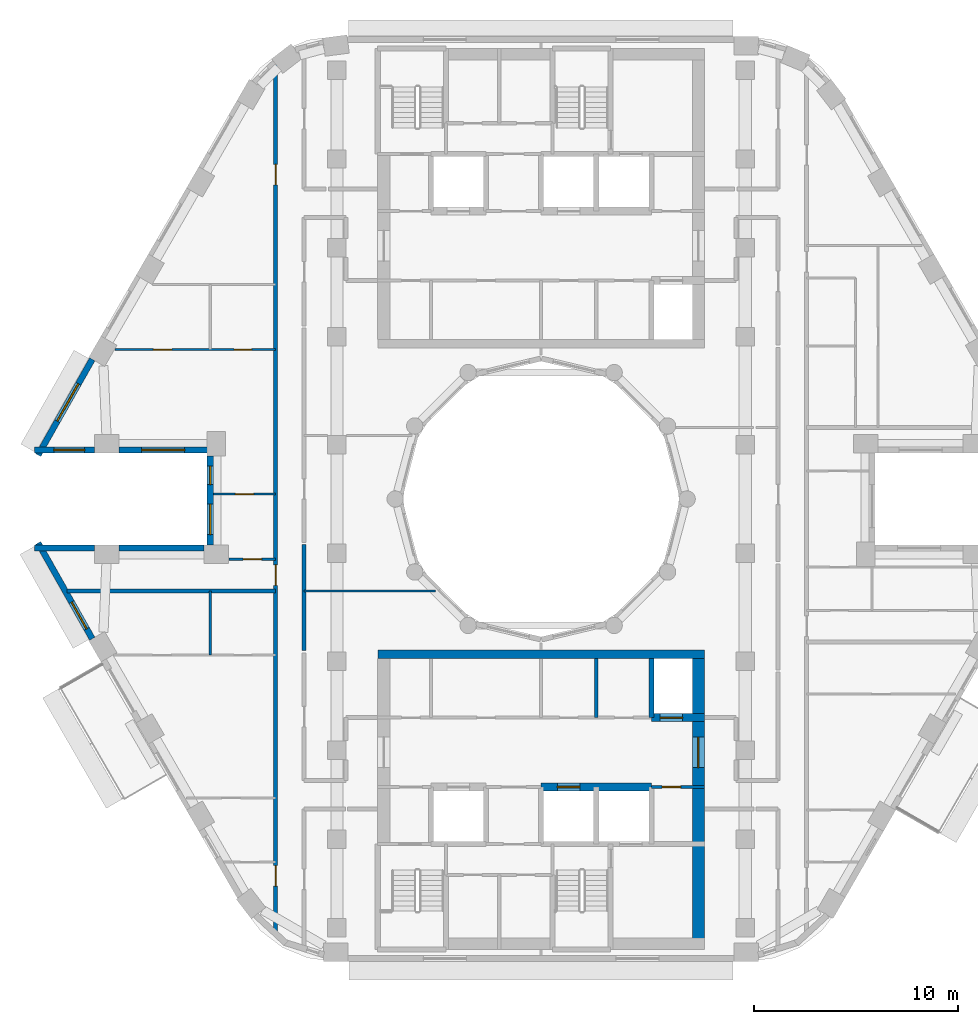
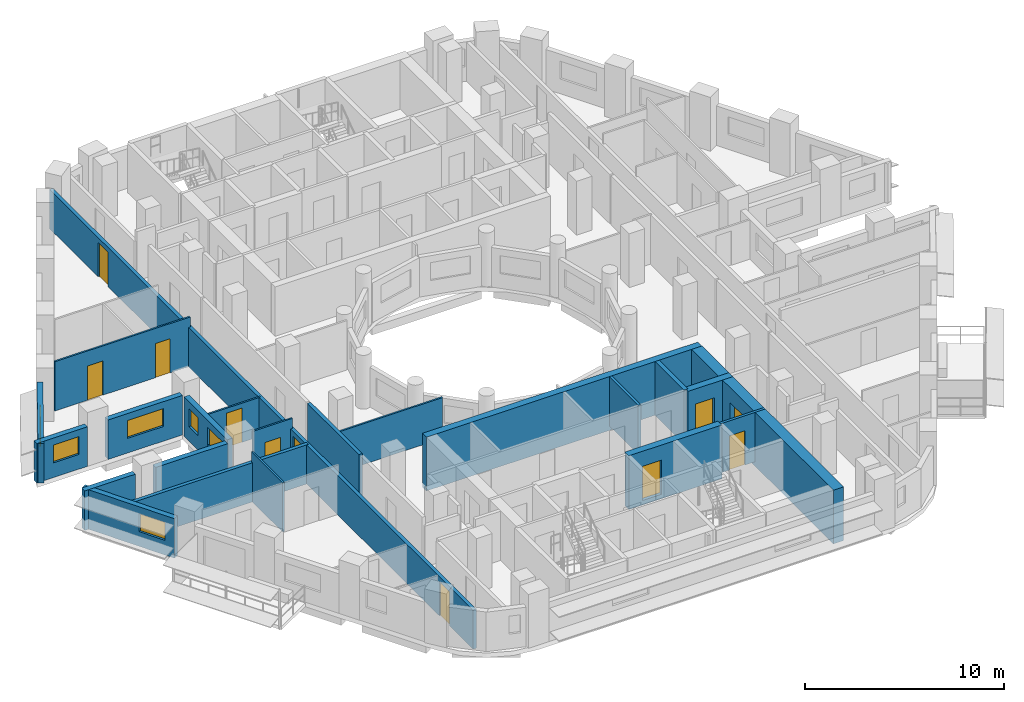
# One storey, part 4 of 16: 22 walls, 11 doors, 6 windows, 17 openings.
"""IFC4 building model written with IfcOpenShell, lengths in metres."""

from ifc_helpers import new_model, si_unit, direction, frame, frame_2d, origin, place, context, subcontext, project, spatial, rectangle, extrude, material, layer, layer_set, type_object, element, fill, save


model = new_model("IFC4")

# Units and contexts
model_context = context("Model", 3, precision=1e-05, world=origin(), true_north=direction((0.0, 1.0)))
body_context = subcontext(model_context, "Body", "Model", "MODEL_VIEW")
ifc_project = project(units=[si_unit("LENGTHUNIT", "METRE"), si_unit("AREAUNIT", "SQUARE_METRE"), si_unit("VOLUMEUNIT", "CUBIC_METRE"), si_unit("PLANEANGLEUNIT", "RADIAN"), si_unit("MASSUNIT", "GRAM", prefix="KILO")], contexts=[model_context])

# Site, building, storey
site_placement = place(None, origin())
site = spatial("IfcSite", under=ifc_project, at=site_placement, CompositionType="ELEMENT")
building_placement = place(site_placement, origin())
building = spatial("IfcBuilding", under=site, at=building_placement, Name="Nakaniwa Court", CompositionType="ELEMENT")
storey_placement = place(building_placement, frame((0.0, 0.0, 193.199951171875)))
storey = spatial("IfcBuildingStorey", under=building, at=storey_placement, Name="L50", CompositionType="ELEMENT", Elevation=193.199951171875)

# Wall
ifc_material_1 = material(Name="Acoustic double stud partition")
ifc_layer_1 = layer(ifc_material_1, 0.199951171875)
ifc_layer_set_1 = layer_set([ifc_layer_1], Name="Acoustic double stud partition")
wall_type_1 = type_object("IfcWallType", Name="Acoustic double stud partition 200", PredefinedType="PARTITIONING", material=ifc_layer_set_1)
wall_1_placement = place(storey_placement, frame((68.39990234375, 72.5771484375, 0.0), z_axis=(0.0, 0.0, 1.0), x_axis=(0.0, 1.0, 0.0)))
element("IfcWall", 1, at=wall_1_placement, inside=storey, type_object=wall_type_1, Name="Partition PW-098", PredefinedType="PARTITIONING", context=body_context, shape_type="SweptSolid", body=[
    extrude(rectangle(XDim=5.185546875, YDim=0.199951171875, at=frame_2d((2.5927734375, 0.0))), origin(), (0.0, 0.0, 1.0), 3.025146484375),
])

# Wall, openings, doors
wall_2_placement = place(storey_placement, frame((67.0, 58.67431640625, 0.0), z_axis=(0.0, 0.0, 1.0), x_axis=(0.0, 1.0, 0.0)))
wall_2 = element("IfcWall", 2, at=wall_2_placement, inside=storey, type_object=wall_type_1, Name="Partition PW-102", PredefinedType="PARTITIONING", context=body_context, shape_type="SweptSolid", body=[
    extrude(rectangle(XDim=42.591796875, YDim=0.199951171875, at=frame_2d((21.2958984375, 0.0))), origin(), (0.0, 0.0, 1.0), 2.405029296875),
])
opening_1_placement = place(wall_2_placement, frame((2.3759765625, 0.0, 0.0)))
opening_1 = element("IfcOpeningElement", 3, at=opening_1_placement, cuts=wall_2, Name="Opening D-01-04", PredefinedType="OPENING", context=body_context, shape_type="SweptSolid", body=[
    extrude(rectangle(XDim=1.0, YDim=2.10009765625, at=frame_2d((0.5, 1.050048828125))), frame((0.0, 0.10986328125, 0.0), z_axis=(0.0, -1.0, 0.0), x_axis=(1.0, 0.0, 0.0)), (0.0, 0.0, 1.0), 0.219970703125),
])
opening_2_placement = place(wall_2_placement, frame((17.10107421875, 0.0, 0.0)))
opening_2 = element("IfcOpeningElement", 4, at=opening_2_placement, cuts=wall_2, Name="Opening D-01-05", PredefinedType="OPENING", context=body_context, shape_type="SweptSolid", body=[
    extrude(rectangle(XDim=1.0, YDim=2.10009765625, at=frame_2d((0.5, 1.050048828125))), frame((0.0, 0.10986328125, 0.0), z_axis=(0.0, -1.0, 0.0), x_axis=(1.0, 0.0, 0.0)), (0.0, 0.0, 1.0), 0.219970703125),
])
opening_3_placement = place(wall_2_placement, frame((36.70703125, 0.0, 0.0)))
opening_3 = element("IfcOpeningElement", 5, at=opening_3_placement, cuts=wall_2, Name="Opening D-02-10", PredefinedType="OPENING", context=body_context, shape_type="SweptSolid", body=[
    extrude(rectangle(XDim=1.0, YDim=2.10009765625, at=frame_2d((0.5, 1.050048828125))), frame((0.0, 0.10986328125, 0.0), z_axis=(0.0, -1.0, 0.0), x_axis=(1.0, 0.0, 0.0)), (0.0, 0.0, 1.0), 0.219970703125),
])
ifc_material_2 = material(Name="Solid core timber door set, black veneer", Category="wood")
door_type_1 = type_object("IfcDoorType", Name="Flat entrance door 1000", OperationType="NOTDEFINED", PredefinedType="DOOR", material=ifc_material_2)
door_1_placement = place(opening_1_placement, origin())
door_1 = element("IfcDoor", 6, at=door_1_placement, inside=storey, type_object=door_type_1, Name="Door D-01-04 L50-043", OperationType="SINGLE_SWING_RIGHT", OverallHeight=2.10009765625, OverallWidth=1.0, PredefinedType="DOOR", context=body_context, shape_type="SweptSolid", body=[
    extrude(rectangle(XDim=1.0, YDim=2.10009765625, at=frame_2d((0.5, 1.050048828125))), frame((0.0, 0.02490234375, 0.0), z_axis=(0.0, -1.0, 0.0), x_axis=(1.0, 0.0, 0.0)), (0.0, 0.0, 1.0), 0.050048828125),
])
fill(opening_1, door_1)
door_2_placement = place(opening_2_placement, origin())
door_2 = element("IfcDoor", 7, at=door_2_placement, inside=storey, type_object=door_type_1, Name="Door D-01-05 L50-049", OperationType="SINGLE_SWING_RIGHT", OverallHeight=2.10009765625, OverallWidth=1.0, PredefinedType="DOOR", context=body_context, shape_type="SweptSolid", body=[
    extrude(rectangle(XDim=1.0, YDim=2.10009765625, at=frame_2d((0.5, 1.050048828125))), frame((0.0, 0.02490234375, 0.0), z_axis=(0.0, -1.0, 0.0), x_axis=(1.0, 0.0, 0.0)), (0.0, 0.0, 1.0), 0.050048828125),
])
fill(opening_2, door_2)
door_type_2 = type_object("IfcDoorType", Name="Internal door 1000", OperationType="NOTDEFINED", PredefinedType="DOOR", material=ifc_material_2)
door_3_placement = place(opening_3_placement, origin())
door_3 = element("IfcDoor", 8, at=door_3_placement, inside=storey, type_object=door_type_2, Name="Door D-02-10 L50-057", OperationType="SINGLE_SWING_RIGHT", OverallHeight=2.10009765625, OverallWidth=1.0, PredefinedType="DOOR", context=body_context, shape_type="SweptSolid", body=[
    extrude(rectangle(XDim=1.0, YDim=2.10009765625, at=frame_2d((0.5, 1.050048828125))), frame((0.0, 0.02490234375, 0.0), z_axis=(0.0, -1.0, 0.0), x_axis=(1.0, 0.0, 0.0)), (0.0, 0.0, 1.0), 0.050048828125),
])
fill(opening_3, door_3)

# Wall
wall_3_placement = place(storey_placement, frame((56.79052734375, 75.5, 0.0), z_axis=(0.0, 0.0, 1.0), x_axis=(1.0, 0.0, 0.0)))
element("IfcWall", 9, at=wall_3_placement, inside=storey, type_object=wall_type_1, Name="Partition PW-132", PredefinedType="PARTITIONING", context=body_context, shape_type="SweptSolid", body=[
    extrude(rectangle(XDim=10.20849609375, YDim=0.199951171875, at=frame_2d((5.104248046875, 0.0))), origin(), (0.0, 0.0, 1.0), 2.405029296875),
])

# Wall, opening, window
ifc_material_3 = material(Name="Charcoal ceramic cladding")
ifc_layer_2 = layer(ifc_material_3, 0.02, Name="Ceramic cladding")
ifc_material_4 = material(Name="Ventilated air cavity")
ifc_layer_3 = layer(ifc_material_4, 0.04, ventilated=True, Name="Ventilated cavity")
ifc_material_5 = material(Name="Mineral wool insulation")
ifc_layer_4 = layer(ifc_material_5, 0.1, Name="Insulation")
ifc_material_6 = material(Name="Cement bonded sheathing board")
ifc_layer_5 = layer(ifc_material_6, 0.012, Name="Sheathing")
ifc_material_7 = material(Name="Cold-formed galvanised stud frame with mineral wool infill")
ifc_layer_6 = layer(ifc_material_7, 0.1, Name="Stud frame")
ifc_material_8 = material(Name="Fire-rated gypsum plasterboard lining")
ifc_layer_7 = layer(ifc_material_8, 0.028, Name="Lining")
ifc_layer_set_2 = layer_set([ifc_layer_2, ifc_layer_3, ifc_layer_4, ifc_layer_5, ifc_layer_6, ifc_layer_7], Name="Charcoal ceramic faced external wall system")
wall_type_2 = type_object("IfcWallType", Name="Black ceramic faced external wall 300", PredefinedType="SOLIDWALL", material=ifc_layer_set_2)
wall_4_placement = place(storey_placement, frame((58.023193359375, 86.843017578125, 0.0), z_axis=(0.0, 0.0, 1.0), x_axis=(-0.492033360928, -0.870576344575, 0.0)))
wall_4 = element("IfcWall", 10, at=wall_4_placement, inside=storey, type_object=wall_type_2, Name="L50 external wall 14", PredefinedType="SOLIDWALL", context=body_context, shape_type="SweptSolid", body=[
    extrude(rectangle(XDim=5.38671875, YDim=0.300048828125, at=frame_2d((2.693359375, 0.0))), origin(), (0.0, 0.0, 1.0), 2.425048828125),
])
opening_4_placement = place(wall_4_placement, frame((1.38037109375, 0.0, 0.89990234375)))
opening_4 = element("IfcOpeningElement", 11, at=opening_4_placement, cuts=wall_4, Name="Opening W7.17", PredefinedType="OPENING", context=body_context, shape_type="SweptSolid", body=[
    extrude(rectangle(XDim=2.10009765625, YDim=1.10009765625, at=frame_2d((1.050048828125, 0.550048828125))), frame((0.0, 0.159912109375, 0.0), z_axis=(0.0, -1.0, 0.0), x_axis=(1.0, 0.0, 0.0)), (0.0, 0.0, 1.0), 0.320068359375),
])
ifc_material_9 = material(Name="Black anodised aluminium frame with dark low-E laminated double glazing", Category="aluminium")
window_type_1 = type_object("IfcWindowType", Name="Dark glass window 2100x1100 sill 900", PartitioningType="SINGLE_PANEL", PredefinedType="WINDOW", material=ifc_material_9)
window_1_placement = place(opening_4_placement, origin())
window_1 = element("IfcWindow", 12, at=window_1_placement, inside=storey, type_object=window_type_1, Name="L50 living window 14-0", OverallHeight=1.10009765625, OverallWidth=2.10009765625, PartitioningType="SINGLE_PANEL", PredefinedType="WINDOW", context=body_context, shape_type="SweptSolid", body=[
    extrude(rectangle(XDim=2.10009765625, YDim=1.10009765625, at=frame_2d((1.050048828125, 0.550048828125))), frame((0.0, 0.030029296875, 0.0), z_axis=(0.0, -1.0, 0.0), x_axis=(1.0, 0.0, 0.0)), (0.0, 0.0, 1.0), 0.06005859375),
])
fill(opening_4, window_1)

wall_5_placement = place(storey_placement, frame((55.2021484375, 82.39990234375, 0.0), z_axis=(0.0, 0.0, 1.0), x_axis=(1.0, 0.0, 0.0)))
wall_5 = element("IfcWall", 13, at=wall_5_placement, inside=storey, type_object=wall_type_2, Name="L50 external wall 15", PredefinedType="SOLIDWALL", context=body_context, shape_type="SweptSolid", body=[
    extrude(rectangle(XDim=2.937744140625, YDim=0.300048828125, at=frame_2d((1.46875, 0.0))), origin(), (0.0, 0.0, 1.0), 2.425048828125),
])
opening_5_placement = place(wall_5_placement, frame((0.94384765625, 0.0, 0.89990234375)))
opening_5 = element("IfcOpeningElement", 14, at=opening_5_placement, cuts=wall_5, Name="Opening W5.18", PredefinedType="OPENING", context=body_context, shape_type="SweptSolid", body=[
    extrude(rectangle(XDim=1.5, YDim=1.10009765625, at=frame_2d((0.75, 0.550048828125))), frame((0.0, 0.159912109375, 0.0), z_axis=(0.0, -1.0, 0.0), x_axis=(1.0, 0.0, 0.0)), (0.0, 0.0, 1.0), 0.320068359375),
])
window_type_2 = type_object("IfcWindowType", Name="Dark glass window 1500x1100 sill 900", PartitioningType="SINGLE_PANEL", PredefinedType="WINDOW", material=ifc_material_9)
window_2_placement = place(opening_5_placement, origin())
window_2 = element("IfcWindow", 15, at=window_2_placement, inside=storey, type_object=window_type_2, Name="L50 living window 15-0", OverallHeight=1.10009765625, OverallWidth=1.5, PartitioningType="SINGLE_PANEL", PredefinedType="WINDOW", context=body_context, shape_type="SweptSolid", body=[
    extrude(rectangle(XDim=1.5, YDim=1.10009765625, at=frame_2d((0.75, 0.550048828125))), frame((0.0, 0.030029296875, 0.0), z_axis=(0.0, -1.0, 0.0), x_axis=(1.0, 0.0, 0.0)), (0.0, 0.0, 1.0), 0.06005859375),
])
fill(opening_5, window_2)

wall_6_placement = place(storey_placement, frame((59.33203125, 82.39990234375, 0.0), z_axis=(0.0, 0.0, 1.0), x_axis=(1.0, 0.0, 0.0)))
wall_6 = element("IfcWall", 16, at=wall_6_placement, inside=storey, type_object=wall_type_2, Name="L50 external wall 16", PredefinedType="SOLIDWALL", context=body_context, shape_type="SweptSolid", body=[
    extrude(rectangle(XDim=4.322509765625, YDim=0.300048828125, at=frame_2d((2.1611328125, 0.0))), origin(), (0.0, 0.0, 1.0), 2.425048828125),
])
opening_6_placement = place(wall_6_placement, frame((1.111083984375, 0.0, 0.89990234375)))
opening_6 = element("IfcOpeningElement", 17, at=opening_6_placement, cuts=wall_6, Name="Opening W7.19", PredefinedType="OPENING", context=body_context, shape_type="SweptSolid", body=[
    extrude(rectangle(XDim=2.10009765625, YDim=1.10009765625, at=frame_2d((1.050048828125, 0.550048828125))), frame((0.0, 0.159912109375, 0.0), z_axis=(0.0, -1.0, 0.0), x_axis=(1.0, 0.0, 0.0)), (0.0, 0.0, 1.0), 0.320068359375),
])
window_3_placement = place(opening_6_placement, origin())
window_3 = element("IfcWindow", 18, at=window_3_placement, inside=storey, type_object=window_type_1, Name="L50 living window 16-0", OverallHeight=1.10009765625, OverallWidth=2.10009765625, PartitioningType="SINGLE_PANEL", PredefinedType="WINDOW", context=body_context, shape_type="SweptSolid", body=[
    extrude(rectangle(XDim=2.10009765625, YDim=1.10009765625, at=frame_2d((1.050048828125, 0.550048828125))), frame((0.0, 0.030029296875, 0.0), z_axis=(0.0, -1.0, 0.0), x_axis=(1.0, 0.0, 0.0)), (0.0, 0.0, 1.0), 0.06005859375),
])
fill(opening_6, window_3)

# Wall, openings, windows
wall_7_placement = place(storey_placement, frame((63.800537109375, 82.10400390625, 0.0), z_axis=(0.0, 0.0, 1.0), x_axis=(0.0, -1.0, 0.0)))
wall_7 = element("IfcWall", 19, at=wall_7_placement, inside=storey, type_object=wall_type_2, Name="L50 external wall 17", PredefinedType="SOLIDWALL", context=body_context, shape_type="SweptSolid", body=[
    extrude(rectangle(XDim=4.35791015625, YDim=0.300048828125, at=frame_2d((2.178955078125, 0.0))), origin(), (0.0, 0.0, 1.0), 2.425048828125),
])
opening_7_placement = place(wall_7_placement, frame((0.496337890625, 0.0, 0.89990234375)))
opening_7 = element("IfcOpeningElement", 20, at=opening_7_placement, cuts=wall_7, Name="Opening W9.20", PredefinedType="OPENING", context=body_context, shape_type="SweptSolid", body=[
    extrude(rectangle(XDim=0.89990234375, YDim=1.10009765625, at=frame_2d((0.449951171875, 0.550048828125))), frame((0.0, 0.159912109375, 0.0), z_axis=(0.0, -1.0, 0.0), x_axis=(1.0, 0.0, 0.0)), (0.0, 0.0, 1.0), 0.320068359375),
])
opening_8_placement = place(wall_7_placement, frame((2.351318359375, 0.0, 0.89990234375)))
opening_8 = element("IfcOpeningElement", 21, at=opening_8_placement, cuts=wall_7, Name="Opening W5.21", PredefinedType="OPENING", context=body_context, shape_type="SweptSolid", body=[
    extrude(rectangle(XDim=1.5, YDim=1.10009765625, at=frame_2d((0.75, 0.550048828125))), frame((0.0, 0.159912109375, 0.0), z_axis=(0.0, -1.0, 0.0), x_axis=(1.0, 0.0, 0.0)), (0.0, 0.0, 1.0), 0.320068359375),
])
window_4_placement = place(opening_8_placement, origin())
window_4 = element("IfcWindow", 22, at=window_4_placement, inside=storey, type_object=window_type_2, Name="L50 habitable room window 17-1", OverallHeight=1.10009765625, OverallWidth=1.5, PartitioningType="SINGLE_PANEL", PredefinedType="WINDOW", context=body_context, shape_type="SweptSolid", body=[
    extrude(rectangle(XDim=1.5, YDim=1.10009765625, at=frame_2d((0.75, 0.550048828125))), frame((0.0, 0.030029296875, 0.0), z_axis=(0.0, -1.0, 0.0), x_axis=(1.0, 0.0, 0.0)), (0.0, 0.0, 1.0), 0.06005859375),
])
fill(opening_8, window_4)
window_type_3 = type_object("IfcWindowType", Name="Dark glass window 900x1100 sill 900", PartitioningType="SINGLE_PANEL", PredefinedType="WINDOW", material=ifc_material_9)
window_5_placement = place(opening_7_placement, origin())
window_5 = element("IfcWindow", 23, at=window_5_placement, inside=storey, type_object=window_type_3, Name="L50 living window 17-0", OverallHeight=1.10009765625, OverallWidth=0.89990234375, PartitioningType="SINGLE_PANEL", PredefinedType="WINDOW", context=body_context, shape_type="SweptSolid", body=[
    extrude(rectangle(XDim=0.89990234375, YDim=1.10009765625, at=frame_2d((0.449951171875, 0.550048828125))), frame((0.0, 0.030029296875, 0.0), z_axis=(0.0, -1.0, 0.0), x_axis=(1.0, 0.0, 0.0)), (0.0, 0.0, 1.0), 0.06005859375),
])
fill(opening_7, window_5)

# Walls
wall_8_placement = place(storey_placement, frame((63.50439453125, 77.60009765625, 0.0), z_axis=(0.0, 0.0, 1.0), x_axis=(-1.0, 0.0, 0.0)))
element("IfcWall", 24, at=wall_8_placement, inside=storey, type_object=wall_type_2, Name="L50 external wall 18", PredefinedType="SOLIDWALL", context=body_context, shape_type="SweptSolid", body=[
    extrude(rectangle(XDim=4.17236328125, YDim=0.300048828125, at=frame_2d((2.086181640625, 0.0))), origin(), (0.0, 0.0, 1.0), 2.425048828125),
])
wall_9_placement = place(storey_placement, frame((58.139892578125, 77.60009765625, 0.0), z_axis=(0.0, 0.0, 1.0), x_axis=(-1.0, 0.0, 0.0)))
element("IfcWall", 25, at=wall_9_placement, inside=storey, type_object=wall_type_2, Name="L50 external wall 19", PredefinedType="SOLIDWALL", context=body_context, shape_type="SweptSolid", body=[
    extrude(rectangle(XDim=2.937744140625, YDim=0.300048828125, at=frame_2d((1.46875, 0.0))), origin(), (0.0, 0.0, 1.0), 2.425048828125),
])

# Wall, opening, window
wall_10_placement = place(storey_placement, frame((55.372802734375, 77.846435546875, 0.0), z_axis=(0.0, 0.0, 1.0), x_axis=(0.492033360928, -0.870576344575, 0.0)))
wall_10 = element("IfcWall", 26, at=wall_10_placement, inside=storey, type_object=wall_type_2, Name="L50 external wall 20", PredefinedType="SOLIDWALL", context=body_context, shape_type="SweptSolid", body=[
    extrude(rectangle(XDim=5.38671875, YDim=0.300048828125, at=frame_2d((2.693359375, 0.0))), origin(), (0.0, 0.0, 1.0), 2.425048828125),
])
opening_9_placement = place(wall_10_placement, frame((3.326171875, 0.0, 0.89990234375)))
opening_9 = element("IfcOpeningElement", 27, at=opening_9_placement, cuts=wall_10, Name="Opening W5.22", PredefinedType="OPENING", context=body_context, shape_type="SweptSolid", body=[
    extrude(rectangle(XDim=1.5, YDim=1.10009765625, at=frame_2d((0.75, 0.550048828125))), frame((0.0, 0.159912109375, 0.0), z_axis=(0.0, -1.0, 0.0), x_axis=(1.0, 0.0, 0.0)), (0.0, 0.0, 1.0), 0.320068359375),
])
window_6_placement = place(opening_9_placement, origin())
window_6 = element("IfcWindow", 28, at=window_6_placement, inside=storey, type_object=window_type_2, Name="L50 habitable room window 20-1", OverallHeight=1.10009765625, OverallWidth=1.5, PartitioningType="SINGLE_PANEL", PredefinedType="WINDOW", context=body_context, shape_type="SweptSolid", body=[
    extrude(rectangle(XDim=1.5, YDim=1.10009765625, at=frame_2d((0.75, 0.550048828125))), frame((0.0, 0.030029296875, 0.0), z_axis=(0.0, -1.0, 0.0), x_axis=(1.0, 0.0, 0.0)), (0.0, 0.0, 1.0), 0.06005859375),
])
fill(opening_9, window_6)

# Wall
ifc_material_10 = material(Name="Blockwork partition", Category="masonry")
ifc_layer_8 = layer(ifc_material_10, 0.14990234375)
ifc_layer_set_3 = layer_set([ifc_layer_8], Name="Blockwork partition")
wall_type_3 = type_object("IfcWallType", Name="Blockwork partition 150", PredefinedType="PARTITIONING", material=ifc_layer_set_3)
wall_11_placement = place(storey_placement, frame((82.699951171875, 69.300048828125, 0.0), z_axis=(0.0, 0.0, 1.0), x_axis=(0.0, 1.0, 0.0)))
element("IfcWall", 29, at=wall_11_placement, inside=storey, type_object=wall_type_3, Name="Partition PW-043", PredefinedType="PARTITIONING", context=body_context, shape_type="SweptSolid", body=[
    extrude(rectangle(XDim=2.89990234375, YDim=0.14990234375, at=frame_2d((1.449951171875, 0.0))), origin(), (0.0, 0.0, 1.0), 3.025146484375),
])

# Wall, opening, door
wall_12_placement = place(storey_placement, frame((88.0, 65.89990234375, 0.0), z_axis=(0.0, 0.0, 1.0), x_axis=(-1.0, 0.0, 0.0)))
wall_12 = element("IfcWall", 30, at=wall_12_placement, inside=storey, type_object=wall_type_3, Name="Partition PW-046", PredefinedType="PARTITIONING", context=body_context, shape_type="SweptSolid", body=[
    extrude(rectangle(XDim=2.60302734375, YDim=0.14990234375, at=frame_2d((1.301513671875, 0.0))), origin(), (0.0, 0.0, 1.0), 3.025146484375),
])
opening_10_placement = place(wall_12_placement, frame((1.175048828125, 0.0, 0.0)))
opening_10 = element("IfcOpeningElement", 31, at=opening_10_placement, cuts=wall_12, Name="Opening D-05-12", PredefinedType="OPENING", context=body_context, shape_type="SweptSolid", body=[
    extrude(rectangle(XDim=0.89990234375, YDim=2.10009765625, at=frame_2d((0.449951171875, 1.050048828125))), frame((0.0, 0.0849609375, 0.0), z_axis=(0.0, -1.0, 0.0), x_axis=(1.0, 0.0, 0.0)), (0.0, 0.0, 1.0), 0.169921875),
])
ifc_material_11 = material(Name="Fire rated steel door set", Category="steel")
door_type_3 = type_object("IfcDoorType", Name="Service room door 900", OperationType="NOTDEFINED", PredefinedType="DOOR", material=ifc_material_11)
door_4_placement = place(opening_10_placement, origin())
door_4 = element("IfcDoor", 32, at=door_4_placement, inside=storey, type_object=door_type_3, Name="Door D-05-12 L50-019", OperationType="SINGLE_SWING_RIGHT", OverallHeight=2.10009765625, OverallWidth=0.89990234375, PredefinedType="DOOR", context=body_context, shape_type="SweptSolid", body=[
    extrude(rectangle(XDim=0.89990234375, YDim=2.10009765625, at=frame_2d((0.449951171875, 1.050048828125))), frame((0.0, 0.02490234375, 0.0), z_axis=(0.0, -1.0, 0.0), x_axis=(1.0, 0.0, 0.0)), (0.0, 0.0, 1.0), 0.050048828125),
])
fill(opening_10, door_4)

ifc_material_12 = material(Name="Concrete C80/100", Category="concrete")
ifc_layer_9 = layer(ifc_material_12, 0.60009765625)
ifc_layer_set_4 = layer_set([ifc_layer_9], Name="Concrete C80/100")
wall_type_4 = type_object("IfcWallType", Name="Concrete core side wall 600 C80", PredefinedType="SHEAR", material=ifc_layer_set_4)
wall_13_placement = place(storey_placement, frame((87.699951171875, 72.199951171875, -0.27490234375), z_axis=(0.0, 0.0, 1.0), x_axis=(0.0, -1.0, 0.0)))
wall_13 = element("IfcWall", 33, at=wall_13_placement, inside=storey, type_object=wall_type_4, Name="Core wall SW-41", PredefinedType="SHEAR", context=body_context, shape_type="SweptSolid", body=[
    extrude(rectangle(XDim=14.25, YDim=0.60009765625, at=frame_2d((7.125, 0.0))), origin(), (0.0, 0.0, 1.0), 3.300048828125),
])
opening_11_placement = place(wall_13_placement, frame((3.85205078125, 0.0, 0.27490234375)))
opening_11 = element("IfcOpeningElement", 34, at=opening_11_placement, cuts=wall_13, Name="Opening D-07-03", PredefinedType="OPENING", context=body_context, shape_type="SweptSolid", body=[
    extrude(rectangle(XDim=1.5, YDim=2.10009765625, at=frame_2d((0.75, 1.050048828125))), frame((0.0, 0.31005859375, 0.0), z_axis=(0.0, -1.0, 0.0), x_axis=(1.0, 0.0, 0.0)), (0.0, 0.0, 1.0), 0.6201171875),
])
ifc_material_13 = material(Name="Glazed fire rated steel double door set", Category="steel")
door_type_4 = type_object("IfcDoorType", Name="Lobby double door 1500", OperationType="NOTDEFINED", PredefinedType="DOOR", material=ifc_material_13)
door_5_placement = place(opening_11_placement, origin())
door_5 = element("IfcDoor", 35, at=door_5_placement, inside=storey, type_object=door_type_4, Name="Door D-07-03 L50-061", OperationType="DOUBLE_DOOR_SINGLE_SWING", OverallHeight=2.10009765625, OverallWidth=1.5, PredefinedType="DOOR", context=body_context, shape_type="SweptSolid", body=[
    extrude(rectangle(XDim=1.5, YDim=2.10009765625, at=frame_2d((0.75, 1.050048828125))), frame((0.0, 0.02490234375, 0.0), z_axis=(0.0, -1.0, 0.0), x_axis=(1.0, 0.0, 0.0)), (0.0, 0.0, 1.0), 0.050048828125),
])
fill(opening_11, door_5)

ifc_layer_10 = layer(ifc_material_12, 0.39990234375)
ifc_layer_set_5 = layer_set([ifc_layer_10], Name="Concrete C80/100")
wall_type_5 = type_object("IfcWallType", Name="Concrete core spine wall 400 C80", PredefinedType="SHEAR", material=ifc_layer_set_5)
wall_14_placement = place(storey_placement, frame((85.39990234375, 69.300048828125, -0.27490234375), z_axis=(0.0, 0.0, 1.0), x_axis=(1.0, 0.0, 0.0)))
wall_14 = element("IfcWall", 36, at=wall_14_placement, inside=storey, type_object=wall_type_5, Name="Core wall SW-40", PredefinedType="SHEAR", context=body_context, shape_type="SweptSolid", body=[
    extrude(rectangle(XDim=2.60009765625, YDim=0.39990234375, at=frame_2d((1.300048828125, 0.0))), origin(), (0.0, 0.0, 1.0), 3.300048828125),
])
opening_12_placement = place(wall_14_placement, frame((0.425048828125, 0.0, 0.27490234375)))
opening_12 = element("IfcOpeningElement", 37, at=opening_12_placement, cuts=wall_14, Name="Opening LD05", PredefinedType="OPENING", context=body_context, shape_type="SweptSolid", body=[
    extrude(rectangle(XDim=1.10009765625, YDim=2.10009765625, at=frame_2d((0.550048828125, 1.050048828125))), frame((0.0, 0.2099609375, 0.0), z_axis=(0.0, -1.0, 0.0), x_axis=(1.0, 0.0, 0.0)), (0.0, 0.0, 1.0), 0.419921875),
])
ifc_material_14 = material(Name="Stainless steel sliding lift landing door", Category="steel")
door_type_5 = type_object("IfcDoorType", Name="Lift landing door 1100", OperationType="NOTDEFINED", PredefinedType="DOOR", material=ifc_material_14)
door_6_placement = place(opening_12_placement, origin())
door_6 = element("IfcDoor", 38, at=door_6_placement, inside=storey, type_object=door_type_5, Name="Lift landing door LD05 L50-005", OperationType="SLIDING_TO_LEFT", OverallHeight=2.10009765625, OverallWidth=1.10009765625, PredefinedType="DOOR", context=body_context, shape_type="SweptSolid", body=[
    extrude(rectangle(XDim=1.10009765625, YDim=2.10009765625, at=frame_2d((0.550048828125, 1.050048828125))), frame((0.0, 0.02490234375, 0.0), z_axis=(0.0, -1.0, 0.0), x_axis=(1.0, 0.0, 0.0)), (0.0, 0.0, 1.0), 0.050048828125),
])
fill(opening_12, door_6)

wall_15_placement = place(storey_placement, frame((79.9970703125, 65.89990234375, -0.27490234375), z_axis=(0.0, 0.0, 1.0), x_axis=(1.0, 0.0, 0.0)))
wall_15 = element("IfcWall", 39, at=wall_15_placement, inside=storey, type_object=wall_type_5, Name="Core wall SW-48", PredefinedType="SHEAR", context=body_context, shape_type="SweptSolid", body=[
    extrude(rectangle(XDim=5.406005859375, YDim=0.39990234375, at=frame_2d((2.703125, 0.0))), origin(), (0.0, 0.0, 1.0), 3.300048828125),
])
opening_13_placement = place(wall_15_placement, frame((0.802978515625, 0.0, 0.27490234375)))
opening_13 = element("IfcOpeningElement", 40, at=opening_13_placement, cuts=wall_15, Name="Opening LD07", PredefinedType="OPENING", context=body_context, shape_type="SweptSolid", body=[
    extrude(rectangle(XDim=1.10009765625, YDim=2.10009765625, at=frame_2d((0.550048828125, 1.050048828125))), frame((0.0, 0.2099609375, 0.0), z_axis=(0.0, -1.0, 0.0), x_axis=(1.0, 0.0, 0.0)), (0.0, 0.0, 1.0), 0.419921875),
])
door_7_placement = place(opening_13_placement, origin())
door_7 = element("IfcDoor", 41, at=door_7_placement, inside=storey, type_object=door_type_5, Name="Lift landing door LD07 L50-007", OperationType="SLIDING_TO_LEFT", OverallHeight=2.10009765625, OverallWidth=1.10009765625, PredefinedType="DOOR", context=body_context, shape_type="SweptSolid", body=[
    extrude(rectangle(XDim=1.10009765625, YDim=2.10009765625, at=frame_2d((0.550048828125, 1.050048828125))), frame((0.0, 0.02490234375, 0.0), z_axis=(0.0, -1.0, 0.0), x_axis=(1.0, 0.0, 0.0)), (0.0, 0.0, 1.0), 0.050048828125),
])
fill(opening_13, door_7)

# Walls
ifc_layer_11 = layer(ifc_material_12, 0.39990234375)
ifc_layer_set_6 = layer_set([ifc_layer_11], Name="Concrete C80/100")
wall_type_6 = type_object("IfcWallType", Name="Concrete core well wall 400 C80", PredefinedType="SHEAR", material=ifc_layer_set_6)
wall_16_placement = place(storey_placement, frame((72.00390625, 72.39990234375, -0.27490234375), z_axis=(0.0, 0.0, 1.0), x_axis=(1.0, 0.0, 0.0)))
element("IfcWall", 42, at=wall_16_placement, inside=storey, type_object=wall_type_6, Name="Core wall SW-141", PredefinedType="SHEAR", context=body_context, shape_type="SweptSolid", body=[
    extrude(rectangle(XDim=15.9921875, YDim=0.39990234375, at=frame_2d((7.99609375, 0.0))), origin(), (0.0, 0.0, 1.0), 3.300048828125),
])
ifc_layer_12 = layer(ifc_material_12, 0.25)
ifc_layer_set_7 = layer_set([ifc_layer_12], Name="Concrete C80/100")
wall_type_7 = type_object("IfcWallType", Name="Concrete shaft wall 250 C80", PredefinedType="SHEAR", material=ifc_layer_set_7)
wall_17_placement = place(storey_placement, frame((85.39990234375, 69.300048828125, -0.27490234375), z_axis=(0.0, 0.0, 1.0), x_axis=(0.0, 1.0, 0.0)))
element("IfcWall", 43, at=wall_17_placement, inside=storey, type_object=wall_type_7, Name="Core wall SW-39", PredefinedType="SHEAR", context=body_context, shape_type="SweptSolid", body=[
    extrude(rectangle(XDim=2.89990234375, YDim=0.25, at=frame_2d((1.449951171875, 0.0))), origin(), (0.0, 0.0, 1.0), 3.300048828125),
])
ifc_material_15 = material(Name="Single stud plasterboard partition")
ifc_layer_13 = layer(ifc_material_15, 0.10009765625)
ifc_layer_set_8 = layer_set([ifc_layer_13], Name="Single stud plasterboard partition")
wall_type_8 = type_object("IfcWallType", Name="Single stud plasterboard partition 100", PredefinedType="PARTITIONING", material=ifc_layer_set_8)
wall_18_placement = place(storey_placement, frame((63.799072265625, 72.35595703125, 0.0), z_axis=(0.0, 0.0, 1.0), x_axis=(0.0, 1.0, 0.0)))
element("IfcWall", 44, at=wall_18_placement, inside=storey, type_object=wall_type_8, Name="Partition PW-130", PredefinedType="PARTITIONING", context=body_context, shape_type="SweptSolid", body=[
    extrude(rectangle(XDim=3.14404296875, YDim=0.10009765625, at=frame_2d((1.572021484375, 0.0))), origin(), (0.0, 0.0, 1.0), 3.025146484375),
])
wall_19_placement = place(storey_placement, frame((68.40087890625, 75.5, 0.0), z_axis=(0.0, 0.0, 1.0), x_axis=(1.0, 0.0, 0.0)))
element("IfcWall", 45, at=wall_19_placement, inside=storey, type_object=wall_type_8, Name="Partition PW-133", PredefinedType="PARTITIONING", context=body_context, shape_type="SweptSolid", body=[
    extrude(rectangle(XDim=6.42578125, YDim=0.10009765625, at=frame_2d((3.212890625, 0.0))), origin(), (0.0, 0.0, 1.0), 2.505126953125),
])

# Wall, opening, door
wall_20_placement = place(storey_placement, frame((64.720458984375, 77.050048828125, 0.0), z_axis=(0.0, 0.0, 1.0), x_axis=(1.0, 0.0, 0.0)))
wall_20 = element("IfcWall", 46, at=wall_20_placement, inside=storey, type_object=wall_type_8, Name="Partition PW-134", PredefinedType="PARTITIONING", context=body_context, shape_type="SweptSolid", body=[
    extrude(rectangle(XDim=2.278564453125, YDim=0.10009765625, at=frame_2d((1.13916015625, 0.0))), origin(), (0.0, 0.0, 1.0), 3.025146484375),
])
opening_14_placement = place(wall_20_placement, frame((0.68896484375, 0.0, 0.0)))
opening_14 = element("IfcOpeningElement", 47, at=opening_14_placement, cuts=wall_20, Name="Opening D-33-11", PredefinedType="OPENING", context=body_context, shape_type="SweptSolid", body=[
    extrude(rectangle(XDim=0.89990234375, YDim=2.10009765625, at=frame_2d((0.449951171875, 1.050048828125))), frame((0.0, 0.06005859375, 0.0), z_axis=(0.0, -1.0, 0.0), x_axis=(1.0, 0.0, 0.0)), (0.0, 0.0, 1.0), 0.1201171875),
])
door_type_6 = type_object("IfcDoorType", Name="Internal door 900", OperationType="NOTDEFINED", PredefinedType="DOOR", material=ifc_material_2)
door_8_placement = place(opening_14_placement, origin())
door_8 = element("IfcDoor", 48, at=door_8_placement, inside=storey, type_object=door_type_6, Name="Door D-33-11 L50-050", OperationType="SINGLE_SWING_LEFT", OverallHeight=2.10009765625, OverallWidth=0.89990234375, PredefinedType="DOOR", context=body_context, shape_type="SweptSolid", body=[
    extrude(rectangle(XDim=0.89990234375, YDim=2.10009765625, at=frame_2d((0.449951171875, 1.050048828125))), frame((0.0, 0.02490234375, 0.0), z_axis=(0.0, -1.0, 0.0), x_axis=(1.0, 0.0, 0.0)), (0.0, 0.0, 1.0), 0.050048828125),
])
fill(opening_14, door_8)

wall_21_placement = place(storey_placement, frame((63.950439453125, 80.236083984375, 0.0), z_axis=(0.0, 0.0, 1.0), x_axis=(1.0, 0.0, 0.0)))
wall_21 = element("IfcWall", 49, at=wall_21_placement, inside=storey, type_object=wall_type_8, Name="Partition PW-135", PredefinedType="PARTITIONING", context=body_context, shape_type="SweptSolid", body=[
    extrude(rectangle(XDim=3.048583984375, YDim=0.10009765625, at=frame_2d((1.5244140625, 0.0))), origin(), (0.0, 0.0, 1.0), 2.405029296875),
])
opening_15_placement = place(wall_21_placement, frame((1.073974609375, 0.0, 0.0)))
opening_15 = element("IfcOpeningElement", 50, at=opening_15_placement, cuts=wall_21, Name="Opening D-33-12", PredefinedType="OPENING", context=body_context, shape_type="SweptSolid", body=[
    extrude(rectangle(XDim=0.89990234375, YDim=2.10009765625, at=frame_2d((0.449951171875, 1.050048828125))), frame((0.0, 0.06005859375, 0.0), z_axis=(0.0, -1.0, 0.0), x_axis=(1.0, 0.0, 0.0)), (0.0, 0.0, 1.0), 0.1201171875),
])
door_9_placement = place(opening_15_placement, origin())
door_9 = element("IfcDoor", 51, at=door_9_placement, inside=storey, type_object=door_type_6, Name="Door D-33-12 L50-051", OperationType="SINGLE_SWING_RIGHT", OverallHeight=2.10009765625, OverallWidth=0.89990234375, PredefinedType="DOOR", context=body_context, shape_type="SweptSolid", body=[
    extrude(rectangle(XDim=0.89990234375, YDim=2.10009765625, at=frame_2d((0.449951171875, 1.050048828125))), frame((0.0, 0.02490234375, 0.0), z_axis=(0.0, -1.0, 0.0), x_axis=(1.0, 0.0, 0.0)), (0.0, 0.0, 1.0), 0.050048828125),
])
fill(opening_15, door_9)

# Wall, openings, doors
wall_22_placement = place(storey_placement, frame((59.13134765625, 87.31396484375, 0.0), z_axis=(0.0, 0.0, 1.0), x_axis=(1.0, 0.0, 0.0)))
wall_22 = element("IfcWall", 52, at=wall_22_placement, inside=storey, type_object=wall_type_8, Name="Partition PW-136", PredefinedType="PARTITIONING", context=body_context, shape_type="SweptSolid", body=[
    extrude(rectangle(XDim=7.86767578125, YDim=0.10009765625, at=frame_2d((3.933837890625, 0.0))), origin(), (0.0, 0.0, 1.0), 3.025146484375),
])
opening_16_placement = place(wall_22_placement, frame((5.843017578125, 0.0, 0.0)))
opening_16 = element("IfcOpeningElement", 53, at=opening_16_placement, cuts=wall_22, Name="Opening D-03-05", PredefinedType="OPENING", context=body_context, shape_type="SweptSolid", body=[
    extrude(rectangle(XDim=0.85009765625, YDim=2.10009765625, at=frame_2d((0.425048828125, 1.050048828125))), frame((0.0, 0.06005859375, 0.0), z_axis=(0.0, -1.0, 0.0), x_axis=(1.0, 0.0, 0.0)), (0.0, 0.0, 1.0), 0.1201171875),
])
opening_17_placement = place(wall_22_placement, frame((1.884033203125, 0.0, 0.0)))
opening_17 = element("IfcOpeningElement", 54, at=opening_17_placement, cuts=wall_22, Name="Opening D-33-13", PredefinedType="OPENING", context=body_context, shape_type="SweptSolid", body=[
    extrude(rectangle(XDim=0.89990234375, YDim=2.10009765625, at=frame_2d((0.449951171875, 1.050048828125))), frame((0.0, 0.06005859375, 0.0), z_axis=(0.0, -1.0, 0.0), x_axis=(1.0, 0.0, 0.0)), (0.0, 0.0, 1.0), 0.1201171875),
])
ifc_material_16 = material(Name="Moisture sealed timber door set", Category="wood")
door_type_7 = type_object("IfcDoorType", Name="Bathroom door 850", OperationType="NOTDEFINED", PredefinedType="DOOR", material=ifc_material_16)
door_10_placement = place(opening_16_placement, origin())
door_10 = element("IfcDoor", 55, at=door_10_placement, inside=storey, type_object=door_type_7, Name="Door D-03-05 L50-052", OperationType="SINGLE_SWING_LEFT", OverallHeight=2.10009765625, OverallWidth=0.85009765625, PredefinedType="DOOR", context=body_context, shape_type="SweptSolid", body=[
    extrude(rectangle(XDim=0.85009765625, YDim=2.10009765625, at=frame_2d((0.425048828125, 1.050048828125))), frame((0.0, 0.02490234375, 0.0), z_axis=(0.0, -1.0, 0.0), x_axis=(1.0, 0.0, 0.0)), (0.0, 0.0, 1.0), 0.050048828125),
])
fill(opening_16, door_10)
door_11_placement = place(opening_17_placement, origin())
door_11 = element("IfcDoor", 56, at=door_11_placement, inside=storey, type_object=door_type_6, Name="Door D-33-13 L50-053", OperationType="SINGLE_SWING_RIGHT", OverallHeight=2.10009765625, OverallWidth=0.89990234375, PredefinedType="DOOR", context=body_context, shape_type="SweptSolid", body=[
    extrude(rectangle(XDim=0.89990234375, YDim=2.10009765625, at=frame_2d((0.449951171875, 1.050048828125))), frame((0.0, 0.02490234375, 0.0), z_axis=(0.0, -1.0, 0.0), x_axis=(1.0, 0.0, 0.0)), (0.0, 0.0, 1.0), 0.050048828125),
])
fill(opening_17, door_11)

save(model, "model.ifc")
